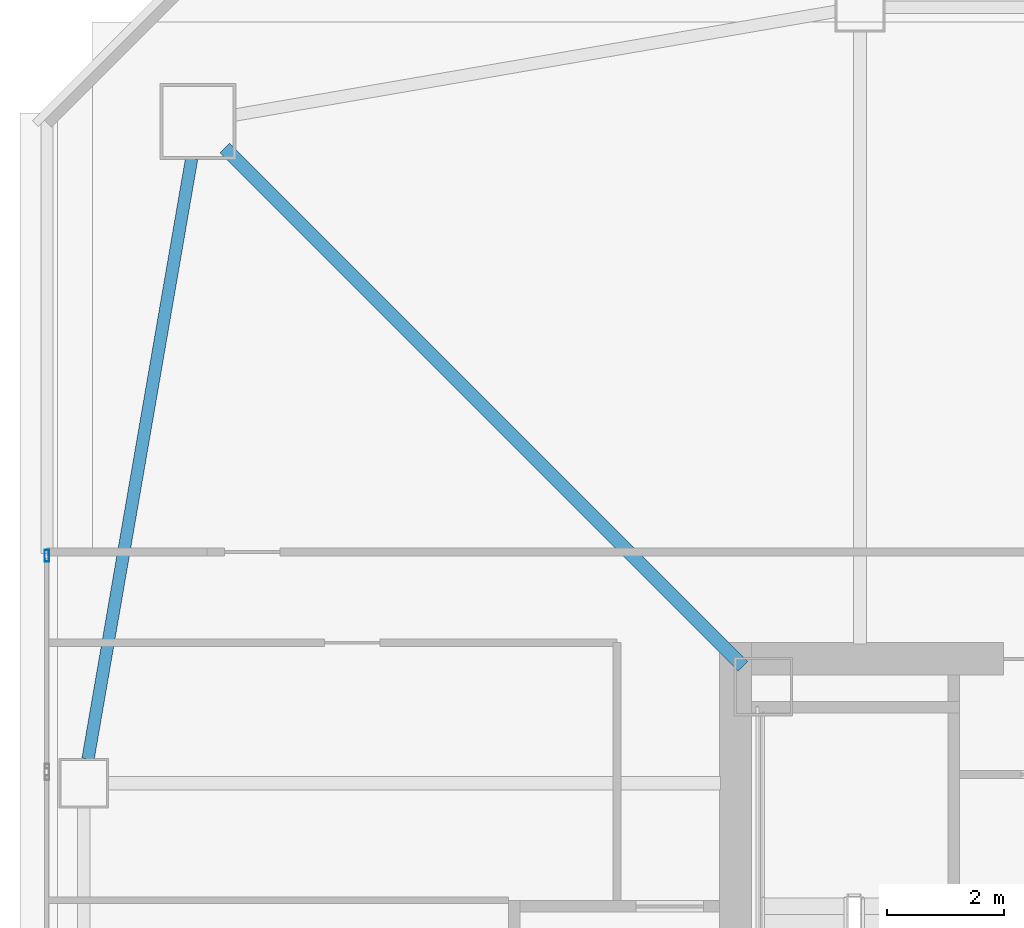
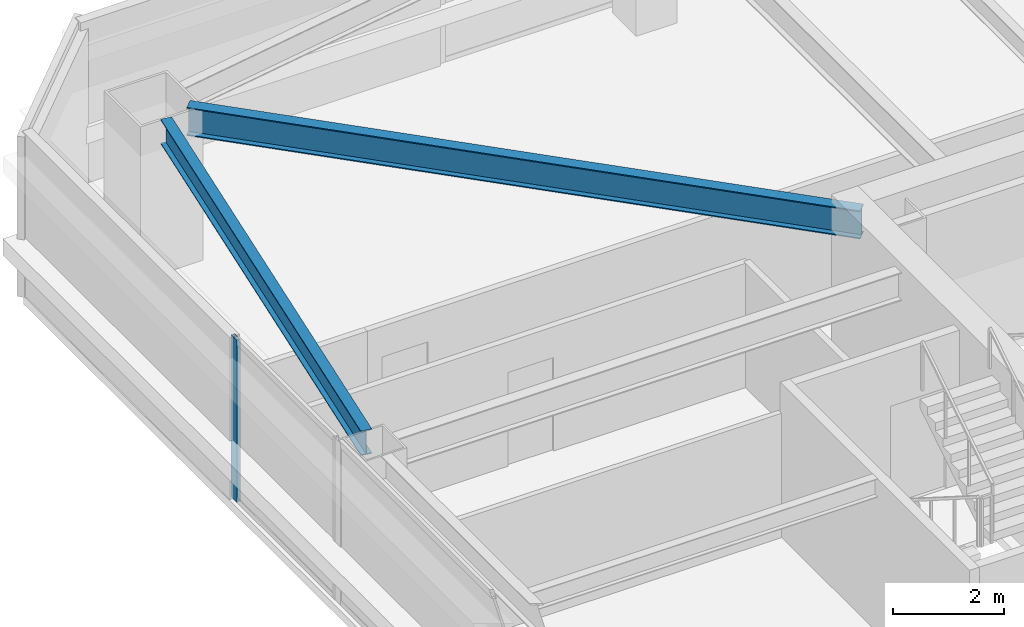
# One storey, part 12 of 40: 2 beams, 1 member, 1 element without a shape of its own.
"""IFC4 building model written with IfcOpenShell, lengths in metres."""

from ifc_helpers import new_model, si_unit, direction, frame, origin, origin_2d, place, context, subcontext, project, spatial, hollow_rectangle, i_section, extrude, material, material_profile, profile_set, type_object, element, aggregate, save


model = new_model("IFC4")

# Units and contexts
model_context = context("Model", 3, precision=1e-05, world=origin(), true_north=direction((0.0, 1.0)))
body_context = subcontext(model_context, "Body", "Model", "MODEL_VIEW")
ifc_project = project(units=[si_unit("LENGTHUNIT", "METRE"), si_unit("AREAUNIT", "SQUARE_METRE"), si_unit("VOLUMEUNIT", "CUBIC_METRE"), si_unit("PLANEANGLEUNIT", "RADIAN"), si_unit("MASSUNIT", "GRAM", prefix="KILO")], contexts=[model_context])

# Site, building, storey
site_placement = place(None, origin())
site = spatial("IfcSite", under=ifc_project, at=site_placement, CompositionType="ELEMENT")
building_placement = place(site_placement, origin())
building = spatial("IfcBuilding", under=site, at=building_placement, Name="Tashvorn Skyway Center", CompositionType="ELEMENT")
storey_placement = place(building_placement, frame((0.0, 0.0, 142.800048828125)))
storey = spatial("IfcBuildingStorey", under=building, at=storey_placement, Name="L38", CompositionType="ELEMENT", Elevation=142.800048828125)

# Beams
ifc_material_1 = material(Name="Steel ASTM A992 Grade 50", Category="steel")
ifc_material_profile_1 = material_profile(ifc_material_1, i_section(OverallWidth=0.22998046875, OverallDepth=0.616943359375, WebThickness=0.01318359375, FlangeThickness=0.022216796875, at=origin_2d()), Name="W24X94")
ifc_profile_set_1 = profile_set([ifc_material_profile_1], Name="Steel ASTM A992 Grade 50")
beam_type_1 = type_object("IfcBeamType", Name="BM-BEAM-W24X94", PredefinedType="BEAM", material=ifc_profile_set_1)
beam_1_placement = place(storey_placement, frame((25.756103515625, 48.243896484375, 3.0615234375), z_axis=(0.707106781187, -0.707106781187, 0.0), x_axis=(0.707106781187, 0.707106781187, 0.0)))
element("IfcBeam", 1, at=beam_1_placement, inside=storey, type_object=beam_type_1, Name="Tower 1 L38 Primary Floor Girder MC-NW", PredefinedType="BEAM", context=body_context, shape_type="SweptSolid", body=[
    extrude(i_section(OverallWidth=0.22998046875, OverallDepth=0.616943359375, WebThickness=0.01318359375, FlangeThickness=0.022216796875, at=origin_2d()), origin(), (0.0, 0.0, 1.0), 12.50732421875),
])
ifc_material_profile_2 = material_profile(ifc_material_1, i_section(OverallWidth=0.2109375, OverallDepth=0.5390625, WebThickness=0.01171875, FlangeThickness=0.018798828125, at=origin_2d()), Name="W21X73")
ifc_profile_set_2 = profile_set([ifc_material_profile_2], Name="Steel ASTM A992 Grade 50")
beam_type_2 = type_object("IfcBeamType", Name="BM-SPANDREL-W21X73", PredefinedType="SPANDREL", material=ifc_profile_set_2)
beam_2_placement = place(storey_placement, frame((25.1904296875, 48.064453125, 3.100341796875), z_axis=(-0.170067250846, -0.985432458462, 0.0), x_axis=(0.985432458462, -0.170067250846, 0.0)))
element("IfcBeam", 2, at=beam_2_placement, inside=storey, type_object=beam_type_2, Name="Tower 1 L38 Spandrel Beam 10", PredefinedType="SPANDREL", context=body_context, shape_type="SweptSolid", body=[
    extrude(i_section(OverallWidth=0.2109375, OverallDepth=0.5390625, WebThickness=0.01171875, FlangeThickness=0.018798828125, at=origin_2d()), origin(), (0.0, 0.0, 1.0), 10.402099609375),
])

# Curtain wall, member
ifc_material_2 = material(Name="Thermally broken bronze-anodized aluminium 6063-T6", Category="aluminium")
curtain_wall_type = type_object("IfcCurtainWallType", Name="CW-CW-Z3", PredefinedType="NOTDEFINED", material=ifc_material_2)
curtain_wall_placement = place(storey_placement, origin())
curtain_wall = element("IfcCurtainWall", 3, at=curtain_wall_placement, inside=storey, type_object=curtain_wall_type, Name="Tower 1 L38 West Unitised Curtain Wall Glazing Group 3", PredefinedType="NOTDEFINED")
ifc_material_profile_3 = material_profile(ifc_material_2, hollow_rectangle(XDim=0.074951171875, YDim=0.199951171875, WallThickness=0.00439453125, at=origin_2d()), Name="ALU-MULL-75x200")
ifc_profile_set_3 = profile_set([ifc_material_profile_3], Name="Thermally broken bronze-anodized aluminium 6063-T6")
member_type = type_object("IfcMemberType", Name="CWM-CW-Z3", PredefinedType="MULLION", material=ifc_profile_set_3)
member_placement = place(storey_placement, frame((22.719970703125, 41.28466796875, 0.0), z_axis=(0.0, 0.0, 1.0), x_axis=(-1.0, 0.0, 0.0)))
member = element("IfcMember", 4, at=member_placement, type_object=member_type, Name="CW-Z3 mullion 2", PredefinedType="MULLION", context=body_context, shape_type="SweptSolid", body=[
    extrude(hollow_rectangle(XDim=0.074951171875, YDim=0.199951171875, WallThickness=0.00439453125, at=origin_2d()), origin(), (0.0, 0.0, 1.0), 3.550048828125),
])
aggregate(curtain_wall, [member])

save(model, "model.ifc")
